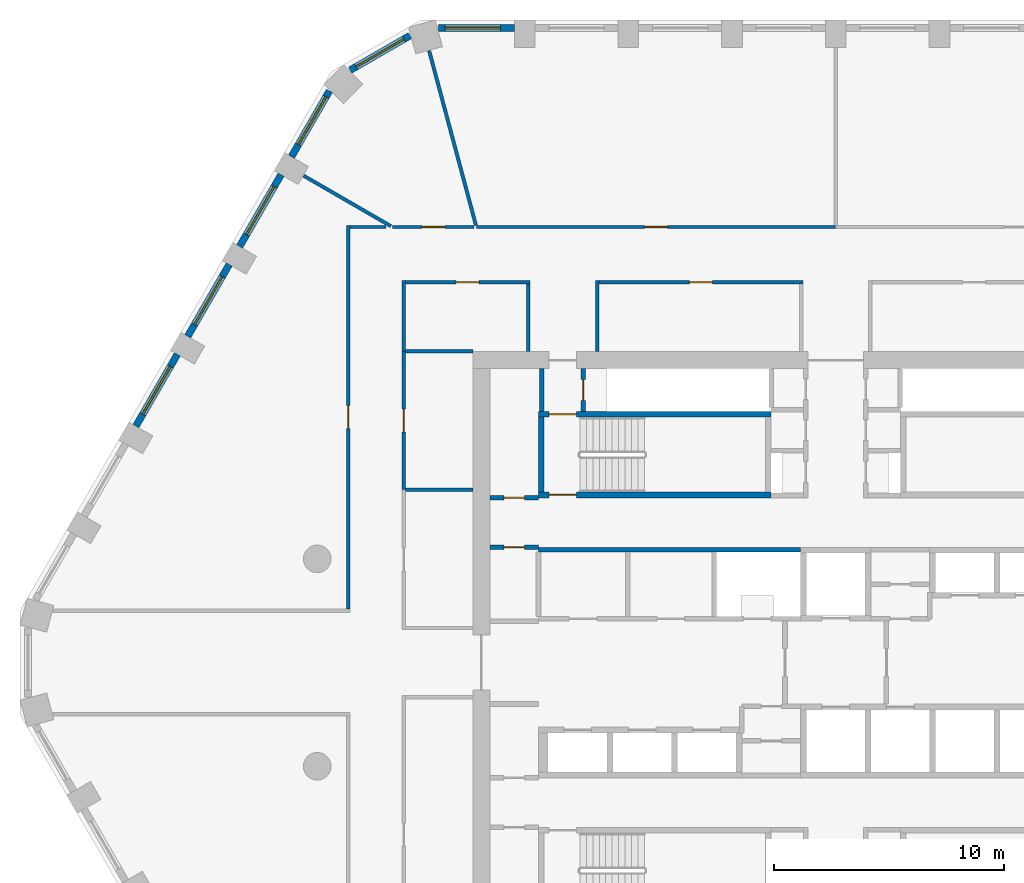
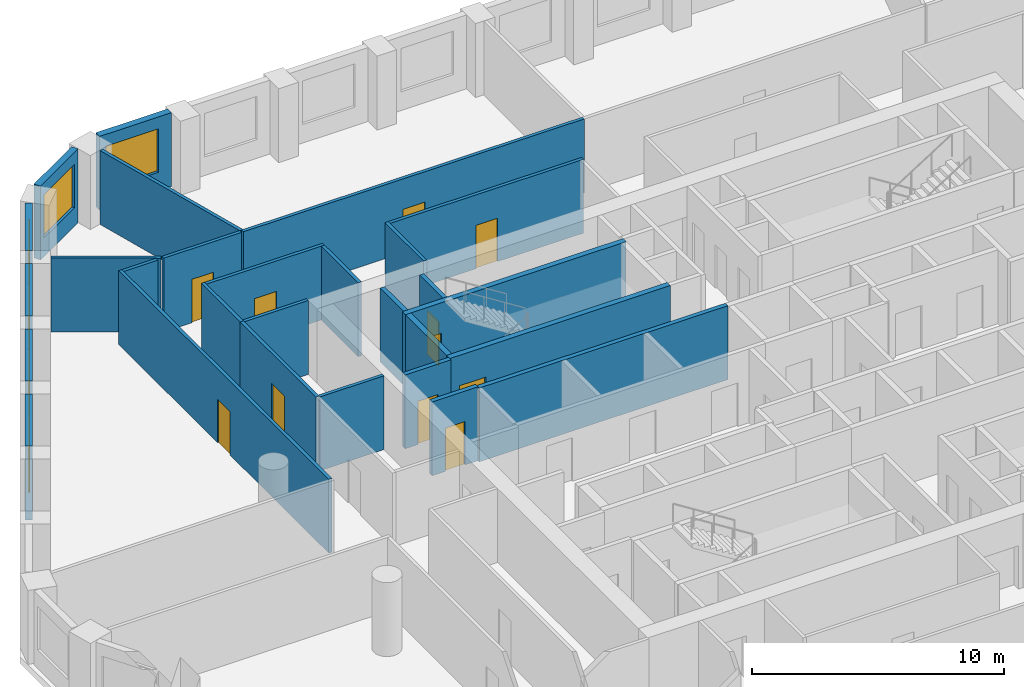
# One storey, part 6 of 10: 28 walls, 11 doors, 6 windows, 17 openings.
"""IFC4 building model written with IfcOpenShell, lengths in metres."""

from ifc_helpers import new_model, si_unit, direction, frame, frame_2d, origin, place, context, subcontext, project, spatial, rectangle, extrude, material, layer, layer_set, type_object, element, fill, save


model = new_model("IFC4")

# Units and contexts
model_context = context("Model", 3, precision=1e-05, world=origin(), true_north=direction((0.0, 1.0)))
body_context = subcontext(model_context, "Body", "Model", "MODEL_VIEW")
ifc_project = project(units=[si_unit("LENGTHUNIT", "METRE"), si_unit("AREAUNIT", "SQUARE_METRE"), si_unit("VOLUMEUNIT", "CUBIC_METRE"), si_unit("PLANEANGLEUNIT", "RADIAN"), si_unit("MASSUNIT", "GRAM", prefix="KILO")], contexts=[model_context])

# Site, building, storey
site_placement = place(None, origin())
site = spatial("IfcSite", under=ifc_project, at=site_placement, CompositionType="ELEMENT")
building_placement = place(site_placement, origin())
building = spatial("IfcBuilding", under=site, at=building_placement, Name="Dhurran Vertical Campus", CompositionType="ELEMENT")
storey_placement = place(building_placement, frame((0.0, 0.0, 148.199951171875)))
storey = spatial("IfcBuildingStorey", under=building, at=storey_placement, Name="L36", CompositionType="ELEMENT", Elevation=148.199951171875)

# Wall, opening, window
ifc_material_1 = material(Name="Precast concrete C50/60", Category="concrete")
ifc_layer_1 = layer(ifc_material_1, 0.300048828125)
ifc_layer_set_1 = layer_set([ifc_layer_1], Name="Precast concrete C50/60")
wall_type_1 = type_object("IfcWallType", Name="Precast spandrel wall 300", PredefinedType="SOLIDWALL", material=ifc_layer_set_1)
wall_1_placement = place(storey_placement, frame((-13.950439453125, 27.53271484375, 0.0), z_axis=(0.0, 0.0, 1.0), x_axis=(-1.0, 0.0, 0.0)))
wall_1 = element("IfcWall", 1, at=wall_1_placement, inside=storey, type_object=wall_type_1, Name="EW1 L36.30", PredefinedType="SOLIDWALL", context=body_context, shape_type="SweptSolid", body=[
    extrude(rectangle(XDim=3.294189453125, YDim=0.300048828125, at=frame_2d((1.64697265625, 0.0))), origin(), (0.0, 0.0, 1.0), 3.574951171875),
])
opening_1_placement = place(wall_1_placement, frame((0.599609375, 0.0, 0.89990234375)))
opening_1 = element("IfcOpeningElement", 2, at=opening_1_placement, cuts=wall_1, Name="Opening WT1", PredefinedType="OPENING", context=body_context, shape_type="SweptSolid", body=[
    extrude(rectangle(XDim=2.39990234375, YDim=2.10009765625, at=frame_2d((1.199951171875, 1.050048828125))), frame((0.0, 0.159912109375, 0.0), z_axis=(0.0, -1.0, 0.0), x_axis=(1.0, 0.0, 0.0)), (0.0, 0.0, 1.0), 0.320068359375),
])
ifc_material_2 = material(Name="Aluminium frame with solar-control glass", Category="aluminium")
window_type = type_object("IfcWindowType", Name="Punched window 2400 x 2100", PartitioningType="SINGLE_PANEL", PredefinedType="WINDOW", material=ifc_material_2)
window_1_placement = place(opening_1_placement, origin())
window_1 = element("IfcWindow", 3, at=window_1_placement, inside=storey, type_object=window_type, Name="WT1 L36.30", OverallHeight=2.10009765625, OverallWidth=2.39990234375, PartitioningType="SINGLE_PANEL", PredefinedType="WINDOW", context=body_context, shape_type="SweptSolid", body=[
    extrude(rectangle(XDim=2.39990234375, YDim=2.10009765625, at=frame_2d((1.199951171875, 1.050048828125))), frame((0.0, 0.030029296875, 0.0), z_axis=(0.0, -1.0, 0.0), x_axis=(1.0, 0.0, 0.0)), (0.0, 0.0, 1.0), 0.06005859375),
])
fill(opening_1, window_1)

wall_2_placement = place(storey_placement, frame((-18.479248046875, 27.201904296875, 0.0), z_axis=(0.0, 0.0, 1.0), x_axis=(-0.866012844897, -0.500021752, 0.0)))
wall_2 = element("IfcWall", 4, at=wall_2_placement, inside=storey, type_object=wall_type_1, Name="EW1 L36.31", PredefinedType="SOLIDWALL", context=body_context, shape_type="SweptSolid", body=[
    extrude(rectangle(XDim=2.989013671875, YDim=0.300048828125, at=frame_2d((1.49462890625, 0.0))), origin(), (0.0, 0.0, 1.0), 3.574951171875),
])
opening_2_placement = place(wall_2_placement, frame((0.294677734375, 0.0, 0.89990234375)))
opening_2 = element("IfcOpeningElement", 5, at=opening_2_placement, cuts=wall_2, Name="Opening WT1", PredefinedType="OPENING", context=body_context, shape_type="SweptSolid", body=[
    extrude(rectangle(XDim=2.39990234375, YDim=2.10009765625, at=frame_2d((1.199951171875, 1.050048828125))), frame((0.0, 0.159912109375, 0.0), z_axis=(0.0, -1.0, 0.0), x_axis=(1.0, 0.0, 0.0)), (0.0, 0.0, 1.0), 0.320068359375),
])
window_2_placement = place(opening_2_placement, origin())
window_2 = element("IfcWindow", 6, at=window_2_placement, inside=storey, type_object=window_type, Name="WT1 L36.31", OverallHeight=2.10009765625, OverallWidth=2.39990234375, PartitioningType="SINGLE_PANEL", PredefinedType="WINDOW", context=body_context, shape_type="SweptSolid", body=[
    extrude(rectangle(XDim=2.39990234375, YDim=2.10009765625, at=frame_2d((1.199951171875, 1.050048828125))), frame((0.0, 0.030029296875, 0.0), z_axis=(0.0, -1.0, 0.0), x_axis=(1.0, 0.0, 0.0)), (0.0, 0.0, 1.0), 0.06005859375),
])
fill(opening_2, window_2)

wall_3_placement = place(storey_placement, frame((-21.9716796875, 24.803466796875, 0.0), z_axis=(0.0, 0.0, 1.0), x_axis=(-0.500036802197, -0.866004154983, 0.0)))
wall_3 = element("IfcWall", 7, at=wall_3_placement, inside=storey, type_object=wall_type_1, Name="EW1 L36.32", PredefinedType="SOLIDWALL", context=body_context, shape_type="SweptSolid", body=[
    extrude(rectangle(XDim=3.294189453125, YDim=0.300048828125, at=frame_2d((1.64697265625, 0.0))), origin(), (0.0, 0.0, 1.0), 3.574951171875),
])
opening_3_placement = place(wall_3_placement, frame((0.29443359375, 0.0, 0.89990234375)))
opening_3 = element("IfcOpeningElement", 8, at=opening_3_placement, cuts=wall_3, Name="Opening WT1", PredefinedType="OPENING", context=body_context, shape_type="SweptSolid", body=[
    extrude(rectangle(XDim=2.39990234375, YDim=2.10009765625, at=frame_2d((1.199951171875, 1.050048828125))), frame((0.0, 0.159912109375, 0.0), z_axis=(0.0, -1.0, 0.0), x_axis=(1.0, 0.0, 0.0)), (0.0, 0.0, 1.0), 0.320068359375),
])
window_3_placement = place(opening_3_placement, origin())
window_3 = element("IfcWindow", 9, at=window_3_placement, inside=storey, type_object=window_type, Name="WT1 L36.32", OverallHeight=2.10009765625, OverallWidth=2.39990234375, PartitioningType="SINGLE_PANEL", PredefinedType="WINDOW", context=body_context, shape_type="SweptSolid", body=[
    extrude(rectangle(XDim=2.39990234375, YDim=2.10009765625, at=frame_2d((1.199951171875, 1.050048828125))), frame((0.0, 0.030029296875, 0.0), z_axis=(0.0, -1.0, 0.0), x_axis=(1.0, 0.0, 0.0)), (0.0, 0.0, 1.0), 0.06005859375),
])
fill(opening_3, window_3)

wall_4_placement = place(storey_placement, frame((-24.0693359375, 21.17041015625, 0.0), z_axis=(0.0, 0.0, 1.0), x_axis=(-0.500027802648, -0.866009351323, 0.0)))
wall_4 = element("IfcWall", 10, at=wall_4_placement, inside=storey, type_object=wall_type_1, Name="EW1 L36.33", PredefinedType="SOLIDWALL", context=body_context, shape_type="SweptSolid", body=[
    extrude(rectangle(XDim=3.598876953125, YDim=0.300048828125, at=frame_2d((1.79931640625, 0.0))), origin(), (0.0, 0.0, 1.0), 3.574951171875),
])
opening_4_placement = place(wall_4_placement, frame((0.599609375, 0.0, 0.89990234375)))
opening_4 = element("IfcOpeningElement", 11, at=opening_4_placement, cuts=wall_4, Name="Opening WT1", PredefinedType="OPENING", context=body_context, shape_type="SweptSolid", body=[
    extrude(rectangle(XDim=2.39990234375, YDim=2.10009765625, at=frame_2d((1.199951171875, 1.050048828125))), frame((0.0, 0.159912109375, 0.0), z_axis=(0.0, -1.0, 0.0), x_axis=(1.0, 0.0, 0.0)), (0.0, 0.0, 1.0), 0.320068359375),
])
window_4_placement = place(opening_4_placement, origin())
window_4 = element("IfcWindow", 12, at=window_4_placement, inside=storey, type_object=window_type, Name="WT1 L36.33", OverallHeight=2.10009765625, OverallWidth=2.39990234375, PartitioningType="SINGLE_PANEL", PredefinedType="WINDOW", context=body_context, shape_type="SweptSolid", body=[
    extrude(rectangle(XDim=2.39990234375, YDim=2.10009765625, at=frame_2d((1.199951171875, 1.050048828125))), frame((0.0, 0.030029296875, 0.0), z_axis=(0.0, -1.0, 0.0), x_axis=(1.0, 0.0, 0.0)), (0.0, 0.0, 1.0), 0.06005859375),
])
fill(opening_4, window_4)

wall_5_placement = place(storey_placement, frame((-26.3193359375, 17.273193359375, 0.0), z_axis=(0.0, 0.0, 1.0), x_axis=(-0.500027802648, -0.866009351323, 0.0)))
wall_5 = element("IfcWall", 13, at=wall_5_placement, inside=storey, type_object=wall_type_1, Name="EW1 L36.34", PredefinedType="SOLIDWALL", context=body_context, shape_type="SweptSolid", body=[
    extrude(rectangle(XDim=3.598876953125, YDim=0.300048828125, at=frame_2d((1.79931640625, 0.0))), origin(), (0.0, 0.0, 1.0), 3.574951171875),
])
opening_5_placement = place(wall_5_placement, frame((0.599609375, 0.0, 0.89990234375)))
opening_5 = element("IfcOpeningElement", 14, at=opening_5_placement, cuts=wall_5, Name="Opening WT1", PredefinedType="OPENING", context=body_context, shape_type="SweptSolid", body=[
    extrude(rectangle(XDim=2.39990234375, YDim=2.10009765625, at=frame_2d((1.199951171875, 1.050048828125))), frame((0.0, 0.159912109375, 0.0), z_axis=(0.0, -1.0, 0.0), x_axis=(1.0, 0.0, 0.0)), (0.0, 0.0, 1.0), 0.320068359375),
])
window_5_placement = place(opening_5_placement, origin())
window_5 = element("IfcWindow", 15, at=window_5_placement, inside=storey, type_object=window_type, Name="WT1 L36.34", OverallHeight=2.10009765625, OverallWidth=2.39990234375, PartitioningType="SINGLE_PANEL", PredefinedType="WINDOW", context=body_context, shape_type="SweptSolid", body=[
    extrude(rectangle(XDim=2.39990234375, YDim=2.10009765625, at=frame_2d((1.199951171875, 1.050048828125))), frame((0.0, 0.030029296875, 0.0), z_axis=(0.0, -1.0, 0.0), x_axis=(1.0, 0.0, 0.0)), (0.0, 0.0, 1.0), 0.06005859375),
])
fill(opening_5, window_5)

wall_6_placement = place(storey_placement, frame((-28.5693359375, 13.376220703125, 0.0), z_axis=(0.0, 0.0, 1.0), x_axis=(-0.500027802648, -0.866009351323, 0.0)))
wall_6 = element("IfcWall", 16, at=wall_6_placement, inside=storey, type_object=wall_type_1, Name="EW1 L36.35", PredefinedType="SOLIDWALL", context=body_context, shape_type="SweptSolid", body=[
    extrude(rectangle(XDim=3.598876953125, YDim=0.300048828125, at=frame_2d((1.79931640625, 0.0))), origin(), (0.0, 0.0, 1.0), 3.574951171875),
])
opening_6_placement = place(wall_6_placement, frame((0.599609375, 0.0, 0.89990234375)))
opening_6 = element("IfcOpeningElement", 17, at=opening_6_placement, cuts=wall_6, Name="Opening WT1", PredefinedType="OPENING", context=body_context, shape_type="SweptSolid", body=[
    extrude(rectangle(XDim=2.39990234375, YDim=2.10009765625, at=frame_2d((1.199951171875, 1.050048828125))), frame((0.0, 0.159912109375, 0.0), z_axis=(0.0, -1.0, 0.0), x_axis=(1.0, 0.0, 0.0)), (0.0, 0.0, 1.0), 0.320068359375),
])
window_6_placement = place(opening_6_placement, origin())
window_6 = element("IfcWindow", 18, at=window_6_placement, inside=storey, type_object=window_type, Name="WT1 L36.35", OverallHeight=2.10009765625, OverallWidth=2.39990234375, PartitioningType="SINGLE_PANEL", PredefinedType="WINDOW", context=body_context, shape_type="SweptSolid", body=[
    extrude(rectangle(XDim=2.39990234375, YDim=2.10009765625, at=frame_2d((1.199951171875, 1.050048828125))), frame((0.0, 0.030029296875, 0.0), z_axis=(0.0, -1.0, 0.0), x_axis=(1.0, 0.0, 0.0)), (0.0, 0.0, 1.0), 0.06005859375),
])
fill(opening_6, window_6)

# Wall
ifc_material_3 = material(Name="Fire-rated masonry blockwork", Category="masonry")
ifc_layer_2 = layer(ifc_material_3, 0.199951171875)
ifc_layer_set_2 = layer_set([ifc_layer_2], Name="Fire-rated masonry blockwork")
wall_type_2 = type_object("IfcWallType", Name="co-FIRE-PARTITION-200", PredefinedType="PARTITIONING", material=ifc_layer_set_2)
wall_7_placement = place(storey_placement, frame((-12.75, 10.89990234375, 0.0), z_axis=(0.0, 0.0, 1.0), x_axis=(0.0, 1.0, 0.0)))
element("IfcWall", 19, at=wall_7_placement, inside=storey, type_object=wall_type_2, Name="Core partition pass-ST1-o L36", PredefinedType="PARTITIONING", context=body_context, shape_type="SweptSolid", body=[
    extrude(rectangle(XDim=1.85009765625, YDim=0.199951171875, at=frame_2d((0.925048828125, 0.0))), origin(), (0.0, 0.0, 1.0), 3.574951171875),
])

# Wall, opening, door
wall_8_placement = place(storey_placement, frame((-10.949951171875, 10.89990234375, 0.0), z_axis=(0.0, 0.0, 1.0), x_axis=(0.0, 1.0, 0.0)))
wall_8 = element("IfcWall", 20, at=wall_8_placement, inside=storey, type_object=wall_type_2, Name="Core partition pass-ST1-i L36", PredefinedType="PARTITIONING", context=body_context, shape_type="SweptSolid", body=[
    extrude(rectangle(XDim=1.85009765625, YDim=0.199951171875, at=frame_2d((0.925048828125, 0.0))), origin(), (0.0, 0.0, 1.0), 3.574951171875),
])
opening_7_placement = place(wall_8_placement, frame((0.47509765625, 0.0, 0.0)))
opening_7 = element("IfcOpeningElement", 21, at=opening_7_placement, cuts=wall_8, Name="Opening T10-C11", PredefinedType="OPENING", context=body_context, shape_type="SweptSolid", body=[
    extrude(rectangle(XDim=0.89990234375, YDim=2.10009765625, at=frame_2d((0.449951171875, 1.050048828125))), frame((0.0, 0.10986328125, 0.0), z_axis=(0.0, -1.0, 0.0), x_axis=(1.0, 0.0, 0.0)), (0.0, 0.0, 1.0), 0.219970703125),
])
ifc_material_4 = material(Name="Fire-rated timber door set", Category="wood")
door_type_1 = type_object("IfcDoorType", Name="co-D-ROOM 900x2100", OperationType="SINGLE_SWING_LEFT", PredefinedType="DOOR", material=ifc_material_4)
door_1_placement = place(opening_7_placement, origin())
door_1 = element("IfcDoor", 22, at=door_1_placement, inside=storey, type_object=door_type_1, Name="Riser room door L36", OperationType="SINGLE_SWING_LEFT", OverallHeight=2.10009765625, OverallWidth=0.89990234375, PredefinedType="DOOR", context=body_context, shape_type="SweptSolid", body=[
    extrude(rectangle(XDim=0.89990234375, YDim=2.10009765625, at=frame_2d((0.449951171875, 1.050048828125))), frame((0.0, 0.02490234375, 0.0), z_axis=(0.0, -1.0, 0.0), x_axis=(1.0, 0.0, 0.0)), (0.0, 0.0, 1.0), 0.050048828125),
])
fill(opening_7, door_1)

wall_9_placement = place(storey_placement, frame((-15.0, 7.14990234375, 0.0), z_axis=(0.0, 0.0, 1.0), x_axis=(1.0, 0.0, 0.0)))
wall_9 = element("IfcWall", 23, at=wall_9_placement, inside=storey, type_object=wall_type_2, Name="Core partition en-NW-w L36", PredefinedType="PARTITIONING", context=body_context, shape_type="SweptSolid", body=[
    extrude(rectangle(XDim=2.10009765625, YDim=0.199951171875, at=frame_2d((1.050048828125, 0.0))), origin(), (0.0, 0.0, 1.0), 3.574951171875),
])
opening_8_placement = place(wall_9_placement, frame((0.60009765625, 0.0, 0.0)))
opening_8 = element("IfcOpeningElement", 24, at=opening_8_placement, cuts=wall_9, Name="Opening T10-C15", PredefinedType="OPENING", context=body_context, shape_type="SweptSolid", body=[
    extrude(rectangle(XDim=0.89990234375, YDim=2.10009765625, at=frame_2d((0.449951171875, 1.050048828125))), frame((0.0, 0.10986328125, 0.0), z_axis=(0.0, -1.0, 0.0), x_axis=(1.0, 0.0, 0.0)), (0.0, 0.0, 1.0), 0.219970703125),
])
door_2_placement = place(opening_8_placement, origin())
door_2 = element("IfcDoor", 25, at=door_2_placement, inside=storey, type_object=door_type_1, Name="Cleaner's store door L36", OperationType="SINGLE_SWING_LEFT", OverallHeight=2.10009765625, OverallWidth=0.89990234375, PredefinedType="DOOR", context=body_context, shape_type="SweptSolid", body=[
    extrude(rectangle(XDim=0.89990234375, YDim=2.10009765625, at=frame_2d((0.449951171875, 1.050048828125))), frame((0.0, 0.02490234375, 0.0), z_axis=(0.0, -1.0, 0.0), x_axis=(1.0, 0.0, 0.0)), (0.0, 0.0, 1.0), 0.050048828125),
])
fill(opening_8, door_2)

wall_10_placement = place(storey_placement, frame((-15.0, 5.0, 0.0), z_axis=(0.0, 0.0, 1.0), x_axis=(1.0, 0.0, 0.0)))
wall_10 = element("IfcWall", 26, at=wall_10_placement, inside=storey, type_object=wall_type_2, Name="Core partition es-NW-w L36", PredefinedType="PARTITIONING", context=body_context, shape_type="SweptSolid", body=[
    extrude(rectangle(XDim=2.10009765625, YDim=0.199951171875, at=frame_2d((1.050048828125, 0.0))), origin(), (0.0, 0.0, 1.0), 3.574951171875),
])
opening_9_placement = place(wall_10_placement, frame((0.60009765625, 0.0, 0.0)))
opening_9 = element("IfcOpeningElement", 27, at=opening_9_placement, cuts=wall_10, Name="Opening T10-C16", PredefinedType="OPENING", context=body_context, shape_type="SweptSolid", body=[
    extrude(rectangle(XDim=0.89990234375, YDim=2.10009765625, at=frame_2d((0.449951171875, 1.050048828125))), frame((0.0, 0.10986328125, 0.0), z_axis=(0.0, -1.0, 0.0), x_axis=(1.0, 0.0, 0.0)), (0.0, 0.0, 1.0), 0.219970703125),
])
door_3_placement = place(opening_9_placement, origin())
door_3 = element("IfcDoor", 28, at=door_3_placement, inside=storey, type_object=door_type_1, Name="Communications room door L36", OperationType="SINGLE_SWING_LEFT", OverallHeight=2.10009765625, OverallWidth=0.89990234375, PredefinedType="DOOR", context=body_context, shape_type="SweptSolid", body=[
    extrude(rectangle(XDim=0.89990234375, YDim=2.10009765625, at=frame_2d((0.449951171875, 1.050048828125))), frame((0.0, 0.02490234375, 0.0), z_axis=(0.0, -1.0, 0.0), x_axis=(1.0, 0.0, 0.0)), (0.0, 0.0, 1.0), 0.050048828125),
])
fill(opening_9, door_3)

# Wall
wall_11_placement = place(storey_placement, frame((-12.89990234375, 4.89990234375, 0.0), z_axis=(0.0, 0.0, 1.0), x_axis=(1.0, 0.0, 0.0)))
element("IfcWall", 29, at=wall_11_placement, inside=storey, type_object=wall_type_2, Name="Core partition fr-N0-b L36", PredefinedType="PARTITIONING", context=body_context, shape_type="SweptSolid", body=[
    extrude(rectangle(XDim=11.375, YDim=0.199951171875, at=frame_2d((5.6875, 0.0))), origin(), (0.0, 0.0, 1.0), 3.574951171875),
])

# Wall, opening, door
ifc_material_5 = material(Name="Concrete C40/50", Category="concrete")
ifc_layer_3 = layer(ifc_material_5, 0.25)
ifc_layer_set_3 = layer_set([ifc_layer_3], Name="Concrete C40/50")
wall_type_3 = type_object("IfcWallType", Name="co-STAIR-WALL-250", PredefinedType="SHEAR", material=ifc_layer_set_3)
wall_12_placement = place(storey_placement, frame((-12.89990234375, 7.27490234375, 0.0), z_axis=(0.0, 0.0, 1.0), x_axis=(1.0, 0.0, 0.0)))
wall_12 = element("IfcWall", 30, at=wall_12_placement, inside=storey, type_object=wall_type_3, Name="Stair ST1 enclosure wall L36", PredefinedType="SHEAR", context=body_context, shape_type="SweptSolid", body=[
    extrude(rectangle(XDim=10.099853515625, YDim=0.25, at=frame_2d((5.0498046875, 0.0))), origin(), (0.0, 0.0, 1.0), 3.574951171875),
])
opening_10_placement = place(wall_12_placement, frame((0.449951171875, 0.0, 0.0)))
opening_10 = element("IfcOpeningElement", 31, at=opening_10_placement, cuts=wall_12, Name="Opening SD1", PredefinedType="OPENING", context=body_context, shape_type="SweptSolid", body=[
    extrude(rectangle(XDim=1.199951171875, YDim=2.10009765625, at=frame_2d((0.60009765625, 1.050048828125))), frame((0.0, 0.135009765625, 0.0), z_axis=(0.0, -1.0, 0.0), x_axis=(1.0, 0.0, 0.0)), (0.0, 0.0, 1.0), 0.27001953125),
])
ifc_material_6 = material(Name="Fire-rated steel door set", Category="steel")
door_type_2 = type_object("IfcDoorType", Name="co-D-STAIR 1200x2100", OperationType="SINGLE_SWING_LEFT", PredefinedType="DOOR", material=ifc_material_6)
door_4_placement = place(opening_10_placement, origin())
door_4 = element("IfcDoor", 32, at=door_4_placement, inside=storey, type_object=door_type_2, Name="Stair ST1 door L36", OperationType="SINGLE_SWING_LEFT", OverallHeight=2.10009765625, OverallWidth=1.199951171875, PredefinedType="DOOR", context=body_context, shape_type="SweptSolid", body=[
    extrude(rectangle(XDim=1.199951171875, YDim=2.10009765625, at=frame_2d((0.60009765625, 1.050048828125))), frame((0.0, 0.02490234375, 0.0), z_axis=(0.0, -1.0, 0.0), x_axis=(1.0, 0.0, 0.0)), (0.0, 0.0, 1.0), 0.050048828125),
])
fill(opening_10, door_4)

wall_13_placement = place(storey_placement, frame((-12.89990234375, 10.77490234375, 0.0), z_axis=(0.0, 0.0, 1.0), x_axis=(1.0, 0.0, 0.0)))
wall_13 = element("IfcWall", 33, at=wall_13_placement, inside=storey, type_object=wall_type_3, Name="Stair ST1 enclosure wall L36", PredefinedType="SHEAR", context=body_context, shape_type="SweptSolid", body=[
    extrude(rectangle(XDim=10.099853515625, YDim=0.25, at=frame_2d((5.0498046875, 0.0))), origin(), (0.0, 0.0, 1.0), 3.574951171875),
])
opening_11_placement = place(wall_13_placement, frame((0.449951171875, 0.0, 0.0)))
opening_11 = element("IfcOpeningElement", 34, at=opening_11_placement, cuts=wall_13, Name="Opening XS1", PredefinedType="OPENING", context=body_context, shape_type="SweptSolid", body=[
    extrude(rectangle(XDim=1.199951171875, YDim=2.10009765625, at=frame_2d((0.60009765625, 1.050048828125))), frame((0.0, 0.135009765625, 0.0), z_axis=(0.0, -1.0, 0.0), x_axis=(1.0, 0.0, 0.0)), (0.0, 0.0, 1.0), 0.27001953125),
])
ifc_material_7 = material(Name="Fire-rated steel door set", Category="steel")
door_type_3 = type_object("IfcDoorType", Name="co-D-STAIR-EXIT 1200x2100", OperationType="SINGLE_SWING_RIGHT", PredefinedType="DOOR", material=ifc_material_7)
door_5_placement = place(opening_11_placement, origin())
door_5 = element("IfcDoor", 35, at=door_5_placement, inside=storey, type_object=door_type_3, Name="Stair ST1 discharge door L36", OperationType="SINGLE_SWING_RIGHT", OverallHeight=2.10009765625, OverallWidth=1.199951171875, PredefinedType="DOOR", context=body_context, shape_type="SweptSolid", body=[
    extrude(rectangle(XDim=1.199951171875, YDim=2.10009765625, at=frame_2d((0.60009765625, 1.050048828125))), frame((0.0, 0.02490234375, 0.0), z_axis=(0.0, -1.0, 0.0), x_axis=(1.0, 0.0, 0.0)), (0.0, 0.0, 1.0), 0.050048828125),
])
fill(opening_11, door_5)

# Wall
wall_14_placement = place(storey_placement, frame((-12.77490234375, 7.39990234375, 0.0), z_axis=(0.0, 0.0, 1.0), x_axis=(0.0, 1.0, 0.0)))
element("IfcWall", 36, at=wall_14_placement, inside=storey, type_object=wall_type_3, Name="Stair ST1 enclosure wall L36", PredefinedType="SHEAR", context=body_context, shape_type="SweptSolid", body=[
    extrude(rectangle(XDim=3.25, YDim=0.25, at=frame_2d((1.625, 0.0))), origin(), (0.0, 0.0, 1.0), 3.574951171875),
])

# Wall, opening, door
ifc_material_8 = material(Name="Gypsum board corridor wall on steel studs", Category="steel")
ifc_layer_4 = layer(ifc_material_8, 0.14990234375)
ifc_layer_set_4 = layer_set([ifc_layer_4], Name="Gypsum board corridor wall on steel studs")
wall_type_4 = type_object("IfcWallType", Name="fl-CW-150 corridor wall", PredefinedType="PARTITIONING", material=ifc_layer_set_4)
wall_15_placement = place(storey_placement, frame((-21.14990234375, 18.97509765625, 0.0), z_axis=(0.0, 0.0, 1.0), x_axis=(0.0, -1.0, 0.0)))
wall_15 = element("IfcWall", 37, at=wall_15_placement, inside=storey, type_object=wall_type_4, Name="Partition 36-07", PredefinedType="PARTITIONING", context=body_context, shape_type="SweptSolid", body=[
    extrude(rectangle(XDim=16.650146484375, YDim=0.14990234375, at=frame_2d((8.3251953125, 0.0))), origin(), (0.0, 0.0, 1.0), 3.574951171875),
])
opening_12_placement = place(wall_15_placement, frame((7.824951171875, 0.0, 0.0)))
opening_12 = element("IfcOpeningElement", 38, at=opening_12_placement, cuts=wall_15, Name="Opening T10.02", PredefinedType="OPENING", context=body_context, shape_type="SweptSolid", body=[
    extrude(rectangle(XDim=1.0, YDim=2.10009765625, at=frame_2d((0.5, 1.050048828125))), frame((0.0, 0.0849609375, 0.0), z_axis=(0.0, -1.0, 0.0), x_axis=(1.0, 0.0, 0.0)), (0.0, 0.0, 1.0), 0.169921875),
])
ifc_material_9 = material(Name="Solid-core timber door set, fire-rated", Category="wood")
door_type_4 = type_object("IfcDoorType", Name="fl-D-1000x2100", OperationType="SINGLE_SWING_LEFT", PredefinedType="DOOR", material=ifc_material_9)
door_6_placement = place(opening_12_placement, origin())
door_6 = element("IfcDoor", 39, at=door_6_placement, inside=storey, type_object=door_type_4, Name="Door 36.02", OperationType="SINGLE_SWING_LEFT", OverallHeight=2.10009765625, OverallWidth=1.0, PredefinedType="DOOR", context=body_context, shape_type="SweptSolid", body=[
    extrude(rectangle(XDim=1.0, YDim=2.10009765625, at=frame_2d((0.5, 1.050048828125))), frame((0.0, 0.02490234375, 0.0), z_axis=(0.0, -1.0, 0.0), x_axis=(1.0, 0.0, 0.0)), (0.0, 0.0, 1.0), 0.050048828125),
])
fill(opening_12, door_6)

# Wall
wall_16_placement = place(storey_placement, frame((-19.510986328125, 18.89990234375, 0.0), z_axis=(0.0, 0.0, 1.0), x_axis=(-1.0, 0.0, 0.0)))
element("IfcWall", 40, at=wall_16_placement, inside=storey, type_object=wall_type_4, Name="Partition 36-08", PredefinedType="PARTITIONING", context=body_context, shape_type="SweptSolid", body=[
    extrude(rectangle(XDim=1.56396484375, YDim=0.14990234375, at=frame_2d((0.781982421875, 0.0))), origin(), (0.0, 0.0, 1.0), 3.574951171875),
])

# Wall, opening, door
wall_17_placement = place(storey_placement, frame((-15.68798828125, 18.89990234375, 0.0), z_axis=(0.0, 0.0, 1.0), x_axis=(-1.0, 0.0, 0.0)))
wall_17 = element("IfcWall", 41, at=wall_17_placement, inside=storey, type_object=wall_type_4, Name="Partition 36-10", PredefinedType="PARTITIONING", context=body_context, shape_type="SweptSolid", body=[
    extrude(rectangle(XDim=3.548095703125, YDim=0.14990234375, at=frame_2d((1.77392578125, 0.0))), origin(), (0.0, 0.0, 1.0), 3.574951171875),
])
opening_13_placement = place(wall_17_placement, frame((1.27392578125, 0.0, 0.0)))
opening_13 = element("IfcOpeningElement", 42, at=opening_13_placement, cuts=wall_17, Name="Opening T10.03", PredefinedType="OPENING", context=body_context, shape_type="SweptSolid", body=[
    extrude(rectangle(XDim=1.0, YDim=2.10009765625, at=frame_2d((0.5, 1.050048828125))), frame((0.0, 0.0849609375, 0.0), z_axis=(0.0, -1.0, 0.0), x_axis=(1.0, 0.0, 0.0)), (0.0, 0.0, 1.0), 0.169921875),
])
door_7_placement = place(opening_13_placement, origin())
door_7 = element("IfcDoor", 43, at=door_7_placement, inside=storey, type_object=door_type_4, Name="Door 36.03", OperationType="SINGLE_SWING_RIGHT", OverallHeight=2.10009765625, OverallWidth=1.0, PredefinedType="DOOR", context=body_context, shape_type="SweptSolid", body=[
    extrude(rectangle(XDim=1.0, YDim=2.10009765625, at=frame_2d((0.5, 1.050048828125))), frame((0.0, 0.02490234375, 0.0), z_axis=(0.0, -1.0, 0.0), x_axis=(1.0, 0.0, 0.0)), (0.0, 0.0, 1.0), 0.050048828125),
])
fill(opening_13, door_7)

wall_18_placement = place(storey_placement, frame((-18.75, 7.5, 0.0), z_axis=(0.0, 0.0, 1.0), x_axis=(0.0, 1.0, 0.0)))
wall_18 = element("IfcWall", 44, at=wall_18_placement, inside=storey, type_object=wall_type_4, Name="Partition 36-18", PredefinedType="PARTITIONING", context=body_context, shape_type="SweptSolid", body=[
    extrude(rectangle(XDim=6.0, YDim=0.14990234375, at=frame_2d((3.0, 0.0))), origin(), (0.0, 0.0, 1.0), 3.574951171875),
])
opening_14_placement = place(wall_18_placement, frame((2.5, 0.0, 0.0)))
opening_14 = element("IfcOpeningElement", 45, at=opening_14_placement, cuts=wall_18, Name="Opening T10.07", PredefinedType="OPENING", context=body_context, shape_type="SweptSolid", body=[
    extrude(rectangle(XDim=1.0, YDim=2.10009765625, at=frame_2d((0.5, 1.050048828125))), frame((0.0, 0.0849609375, 0.0), z_axis=(0.0, -1.0, 0.0), x_axis=(1.0, 0.0, 0.0)), (0.0, 0.0, 1.0), 0.169921875),
])
door_8_placement = place(opening_14_placement, origin())
door_8 = element("IfcDoor", 46, at=door_8_placement, inside=storey, type_object=door_type_4, Name="Door 36.07", OperationType="SINGLE_SWING_LEFT", OverallHeight=2.10009765625, OverallWidth=1.0, PredefinedType="DOOR", context=body_context, shape_type="SweptSolid", body=[
    extrude(rectangle(XDim=1.0, YDim=2.10009765625, at=frame_2d((0.5, 1.050048828125))), frame((0.0, 0.02490234375, 0.0), z_axis=(0.0, -1.0, 0.0), x_axis=(1.0, 0.0, 0.0)), (0.0, 0.0, 1.0), 0.050048828125),
])
fill(opening_14, door_8)

# Wall
wall_19_placement = place(storey_placement, frame((-18.75, 13.5, 0.0), z_axis=(0.0, 0.0, 1.0), x_axis=(0.0, 1.0, 0.0)))
element("IfcWall", 47, at=wall_19_placement, inside=storey, type_object=wall_type_4, Name="Partition 36-20", PredefinedType="PARTITIONING", context=body_context, shape_type="SweptSolid", body=[
    extrude(rectangle(XDim=3.074951171875, YDim=0.14990234375, at=frame_2d((1.53759765625, 0.0))), origin(), (0.0, 0.0, 1.0), 3.574951171875),
])

# Wall, opening, door
wall_20_placement = place(storey_placement, frame((-18.675048828125, 16.5, 0.0), z_axis=(0.0, 0.0, 1.0), x_axis=(1.0, 0.0, 0.0)))
wall_20 = element("IfcWall", 48, at=wall_20_placement, inside=storey, type_object=wall_type_4, Name="Partition 36-22", PredefinedType="PARTITIONING", context=body_context, shape_type="SweptSolid", body=[
    extrude(rectangle(XDim=5.400146484375, YDim=0.14990234375, at=frame_2d((2.7001953125, 0.0))), origin(), (0.0, 0.0, 1.0), 3.574951171875),
])
opening_15_placement = place(wall_20_placement, frame((2.199951171875, 0.0, 0.0)))
opening_15 = element("IfcOpeningElement", 49, at=opening_15_placement, cuts=wall_20, Name="Opening T10.09", PredefinedType="OPENING", context=body_context, shape_type="SweptSolid", body=[
    extrude(rectangle(XDim=1.0, YDim=2.10009765625, at=frame_2d((0.5, 1.050048828125))), frame((0.0, 0.0849609375, 0.0), z_axis=(0.0, -1.0, 0.0), x_axis=(1.0, 0.0, 0.0)), (0.0, 0.0, 1.0), 0.169921875),
])
door_9_placement = place(opening_15_placement, origin())
door_9 = element("IfcDoor", 50, at=door_9_placement, inside=storey, type_object=door_type_4, Name="Door 36.09", OperationType="SINGLE_SWING_RIGHT", OverallHeight=2.10009765625, OverallWidth=1.0, PredefinedType="DOOR", context=body_context, shape_type="SweptSolid", body=[
    extrude(rectangle(XDim=1.0, YDim=2.10009765625, at=frame_2d((0.5, 1.050048828125))), frame((0.0, 0.02490234375, 0.0), z_axis=(0.0, -1.0, 0.0), x_axis=(1.0, 0.0, 0.0)), (0.0, 0.0, 1.0), 0.050048828125),
])
fill(opening_15, door_9)

wall_21_placement = place(storey_placement, frame((0.0, 18.89990234375, 0.0), z_axis=(0.0, 0.0, 1.0), x_axis=(-1.0, 0.0, 0.0)))
wall_21 = element("IfcWall", 51, at=wall_21_placement, inside=storey, type_object=wall_type_4, Name="Partition 36-24", PredefinedType="PARTITIONING", context=body_context, shape_type="SweptSolid", body=[
    extrude(rectangle(XDim=15.593017578125, YDim=0.14990234375, at=frame_2d((7.79638671875, 0.0))), origin(), (0.0, 0.0, 1.0), 3.574951171875),
])
opening_16_placement = place(wall_21_placement, frame((7.29638671875, 0.0, 0.0)))
opening_16 = element("IfcOpeningElement", 52, at=opening_16_placement, cuts=wall_21, Name="Opening T10.10", PredefinedType="OPENING", context=body_context, shape_type="SweptSolid", body=[
    extrude(rectangle(XDim=1.0, YDim=2.10009765625, at=frame_2d((0.5, 1.050048828125))), frame((0.0, 0.0849609375, 0.0), z_axis=(0.0, -1.0, 0.0), x_axis=(1.0, 0.0, 0.0)), (0.0, 0.0, 1.0), 0.169921875),
])
door_10_placement = place(opening_16_placement, origin())
door_10 = element("IfcDoor", 53, at=door_10_placement, inside=storey, type_object=door_type_4, Name="Door 36.10", OperationType="SINGLE_SWING_LEFT", OverallHeight=2.10009765625, OverallWidth=1.0, PredefinedType="DOOR", context=body_context, shape_type="SweptSolid", body=[
    extrude(rectangle(XDim=1.0, YDim=2.10009765625, at=frame_2d((0.5, 1.050048828125))), frame((0.0, 0.02490234375, 0.0), z_axis=(0.0, -1.0, 0.0), x_axis=(1.0, 0.0, 0.0)), (0.0, 0.0, 1.0), 0.050048828125),
])
fill(opening_16, door_10)

# Walls
wall_22_placement = place(storey_placement, frame((-13.35009765625, 16.425048828125, 0.0), z_axis=(0.0, 0.0, 1.0), x_axis=(0.0, -1.0, 0.0)))
element("IfcWall", 54, at=wall_22_placement, inside=storey, type_object=wall_type_4, Name="Partition 36-28", PredefinedType="PARTITIONING", context=body_context, shape_type="SweptSolid", body=[
    extrude(rectangle(XDim=2.925048828125, YDim=0.14990234375, at=frame_2d((1.46240234375, 0.0))), origin(), (0.0, 0.0, 1.0), 3.574951171875),
])
wall_23_placement = place(storey_placement, frame((-10.35009765625, 13.5, 0.0), z_axis=(0.0, 0.0, 1.0), x_axis=(0.0, 1.0, 0.0)))
element("IfcWall", 55, at=wall_23_placement, inside=storey, type_object=wall_type_4, Name="Partition 36-31", PredefinedType="PARTITIONING", context=body_context, shape_type="SweptSolid", body=[
    extrude(rectangle(XDim=3.074951171875, YDim=0.14990234375, at=frame_2d((1.53759765625, 0.0))), origin(), (0.0, 0.0, 1.0), 3.574951171875),
])

# Wall, opening, door
wall_24_placement = place(storey_placement, frame((-10.27490234375, 16.5, 0.0), z_axis=(0.0, 0.0, 1.0), x_axis=(1.0, 0.0, 0.0)))
wall_24 = element("IfcWall", 56, at=wall_24_placement, inside=storey, type_object=wall_type_4, Name="Partition 36-32", PredefinedType="PARTITIONING", context=body_context, shape_type="SweptSolid", body=[
    extrude(rectangle(XDim=8.849853515625, YDim=0.14990234375, at=frame_2d((4.4248046875, 0.0))), origin(), (0.0, 0.0, 1.0), 3.574951171875),
])
opening_17_placement = place(wall_24_placement, frame((3.925048828125, 0.0, 0.0)))
opening_17 = element("IfcOpeningElement", 57, at=opening_17_placement, cuts=wall_24, Name="Opening T10.12", PredefinedType="OPENING", context=body_context, shape_type="SweptSolid", body=[
    extrude(rectangle(XDim=1.0, YDim=2.10009765625, at=frame_2d((0.5, 1.050048828125))), frame((0.0, 0.0849609375, 0.0), z_axis=(0.0, -1.0, 0.0), x_axis=(1.0, 0.0, 0.0)), (0.0, 0.0, 1.0), 0.169921875),
])
door_11_placement = place(opening_17_placement, origin())
door_11 = element("IfcDoor", 58, at=door_11_placement, inside=storey, type_object=door_type_4, Name="Door 36.12", OperationType="SINGLE_SWING_LEFT", OverallHeight=2.10009765625, OverallWidth=1.0, PredefinedType="DOOR", context=body_context, shape_type="SweptSolid", body=[
    extrude(rectangle(XDim=1.0, YDim=2.10009765625, at=frame_2d((0.5, 1.050048828125))), frame((0.0, 0.02490234375, 0.0), z_axis=(0.0, -1.0, 0.0), x_axis=(1.0, 0.0, 0.0)), (0.0, 0.0, 1.0), 0.050048828125),
])
fill(opening_17, door_11)

# Walls
ifc_material_10 = material(Name="Gypsum board partition on steel studs", Category="steel")
ifc_layer_5 = layer(ifc_material_10, 0.14990234375)
ifc_layer_set_5 = layer_set([ifc_layer_5], Name="Gypsum board partition on steel studs")
wall_type_5 = type_object("IfcWallType", Name="fl-PW-150 fixed partition", PredefinedType="PARTITIONING", material=ifc_layer_set_5)
wall_25_placement = place(storey_placement, frame((-23.09033203125, 21.1259765625, 0.0), z_axis=(0.0, 0.0, 1.0), x_axis=(0.865968165673, -0.500099126214, 0.0)))
element("IfcWall", 59, at=wall_25_placement, inside=storey, type_object=wall_type_5, Name="Partition 36-04", PredefinedType="PARTITIONING", context=body_context, shape_type="SweptSolid", body=[
    extrude(rectangle(XDim=4.3759765625, YDim=0.14990234375, at=frame_2d((2.18798828125, 0.0))), origin(), (0.0, 0.0, 1.0), 3.574951171875),
])
for number, where, z_axis, x_axis, name in (
    (60, (-18.675048828125, 7.5, 0.0), (0.0, 0.0, 1.0), (1.0, 0.0, 0.0), "Partition 36-19"),
    (61, (-18.675048828125, 13.5, 0.0), (0.0, 0.0, 1.0), (1.0, 0.0, 0.0), "Partition 36-21"),
):
    element("IfcWall", number, at=place(storey_placement, frame(where, z_axis=z_axis, x_axis=x_axis)), inside=storey, type_object=wall_type_5, Name=name, PredefinedType="PARTITIONING", context=body_context, shape_type="SweptSolid", body=[
        extrude(rectangle(XDim=2.925048828125, YDim=0.14990234375, at=frame_2d((1.46240234375, 0.0))), origin(), (0.0, 0.0, 1.0), 3.574951171875),
    ])
wall_26_placement = place(storey_placement, frame((-17.642822265625, 26.548828125, 0.0), z_axis=(0.0, 0.0, 1.0), x_axis=(0.258869363255, -0.965912342176, 0.0)))
element("IfcWall", 62, at=wall_26_placement, inside=storey, type_object=wall_type_5, Name="Partition 36-23", PredefinedType="PARTITIONING", context=body_context, shape_type="SweptSolid", body=[
    extrude(rectangle(XDim=7.84375, YDim=0.14990234375, at=frame_2d((3.921875, 0.0))), origin(), (0.0, 0.0, 1.0), 3.574951171875),
])

save(model, "model.ifc")
